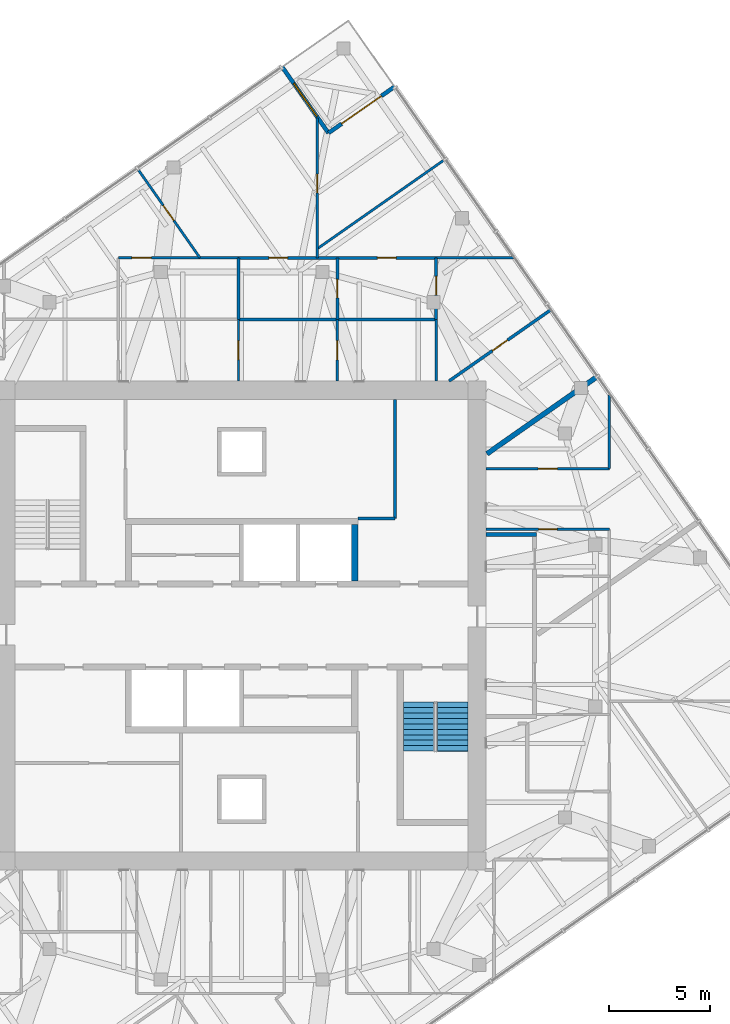
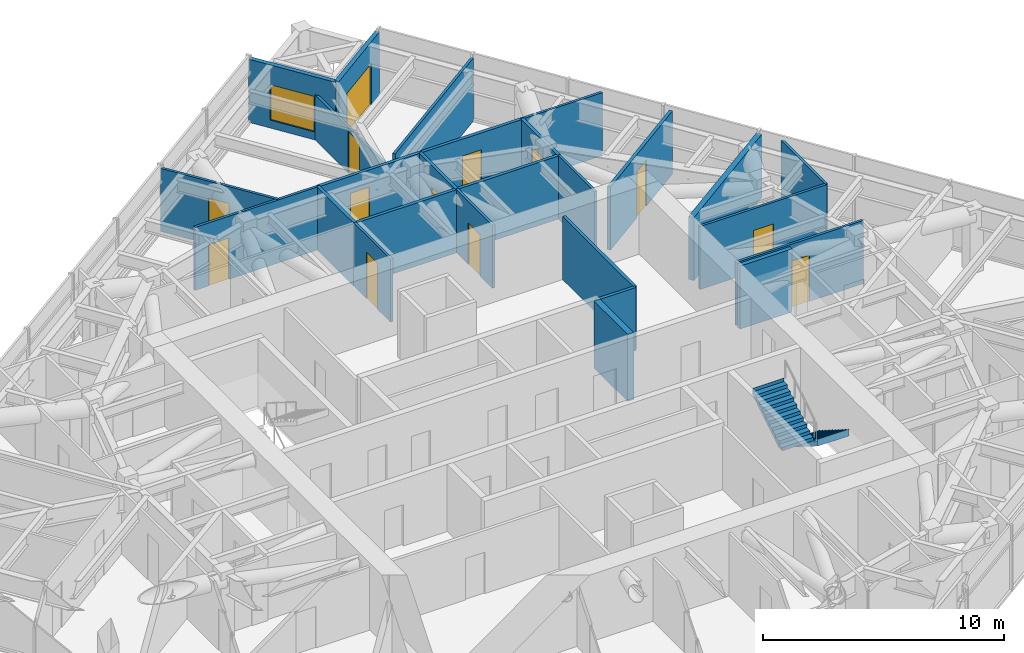
# One storey, part 13 of 15: 24 walls, 13 doors, 2 stair flights, 1 window, 14 openings, 1 element without a shape of its own.
"""IFC4 building model written with IfcOpenShell, lengths in metres."""

from ifc_helpers import new_model, si_unit, direction, frame, frame_2d, origin, place, context, subcontext, project, spatial, polyline, rectangle, outline, extrude, material, layer, layer_set, type_object, element, fill, aggregate, save


model = new_model("IFC4")

# Units and contexts
model_context = context("Model", 3, precision=1e-05, world=origin(), true_north=direction((0.0, 1.0)))
body_context = subcontext(model_context, "Body", "Model", "MODEL_VIEW")
ifc_project = project(units=[si_unit("LENGTHUNIT", "METRE"), si_unit("AREAUNIT", "SQUARE_METRE"), si_unit("VOLUMEUNIT", "CUBIC_METRE"), si_unit("PLANEANGLEUNIT", "RADIAN"), si_unit("MASSUNIT", "GRAM", prefix="KILO")], contexts=[model_context])

# Site, building, storey
site_placement = place(None, origin())
site = spatial("IfcSite", under=ifc_project, at=site_placement, CompositionType="ELEMENT")
building_placement = place(site_placement, origin())
building = spatial("IfcBuilding", under=site, at=building_placement, Name="Torsade Residences", CompositionType="ELEMENT")
storey_placement = place(building_placement, frame((0.0, 0.0, 264.199951171875)))
storey = spatial("IfcBuildingStorey", under=building, at=storey_placement, Name="L73", CompositionType="ELEMENT", Elevation=264.199951171875)

# Walls
ifc_material_1 = material(Name="Concrete 80 MPa", Category="concrete")
ifc_layer_1 = layer(ifc_material_1, 0.300048828125)
ifc_layer_set_1 = layer_set([ifc_layer_1], Name="Concrete 80 MPa")
wall_type_1 = type_object("IfcWallType", Name="CORE INTERNAL WALL 300", PredefinedType="SHEAR", material=ifc_layer_set_1)
wall_1_placement = place(storey_placement, frame((45.60009765625, 32.199951171875, 0.0), z_axis=(0.0, 0.0, 1.0), x_axis=(0.0, 1.0, 0.0)))
element("IfcWall", 1, at=wall_1_placement, inside=storey, type_object=wall_type_1, Name="Core wall DN4 L73", PredefinedType="SHEAR", context=body_context, shape_type="SweptSolid", body=[
    extrude(rectangle(XDim=2.800048828125, YDim=0.300048828125, at=frame_2d((1.39990234375, 0.0))), origin(), (0.0, 0.0, 1.0), 3.400146484375),
])
ifc_material_2 = material(Name="Plasterboard on steel stud", Category="steel")
ifc_layer_2 = layer(ifc_material_2, 0.199951171875)
ifc_layer_set_2 = layer_set([ifc_layer_2], Name="Plasterboard on steel stud")
wall_type_2 = type_object("IfcWallType", Name="CORRIDOR WALL 200", PredefinedType="PARTITIONING", material=ifc_layer_set_2)
wall_2_placement = place(storey_placement, frame((52.10009765625, 34.5, 0.0), z_axis=(0.0, 0.0, 1.0), x_axis=(1.0, 0.0, 0.0)))
element("IfcWall", 2, at=wall_2_placement, inside=storey, type_object=wall_type_2, Name="Corridor wall L73", PredefinedType="PARTITIONING", context=body_context, shape_type="SweptSolid", body=[
    extrude(rectangle(XDim=2.5, YDim=0.199951171875, at=frame_2d((1.25, 0.0))), origin(), (0.0, 0.0, 1.0), 3.199951171875),
])

# Wall, opening, door
ifc_material_3 = material(Name="Plasterboard on steel stud", Category="steel")
ifc_layer_3 = layer(ifc_material_3, 0.1201171875)
ifc_layer_set_3 = layer_set([ifc_layer_3], Name="Plasterboard on steel stud")
wall_type_3 = type_object("IfcWallType", Name="PARTITION 120", PredefinedType="PARTITIONING", material=ifc_layer_set_3)
wall_3_placement = place(storey_placement, frame((52.10009765625, 34.760009765625, 0.0), z_axis=(0.0, 0.0, 1.0), x_axis=(1.0, 0.0, 0.0)))
wall_3 = element("IfcWall", 3, at=wall_3_placement, inside=storey, type_object=wall_type_3, Name="Partition L73", PredefinedType="PARTITIONING", context=body_context, shape_type="SweptSolid", body=[
    extrude(rectangle(XDim=6.099853515625, YDim=0.1201171875, at=frame_2d((3.0498046875, 0.0))), origin(), (0.0, 0.0, 1.0), 3.199951171875),
])
opening_1_placement = place(wall_3_placement, frame((2.590087890625, 0.0, 0.0)))
opening_1 = element("IfcOpeningElement", 4, at=opening_1_placement, cuts=wall_3, Name="Opening D02", PredefinedType="OPENING", context=body_context, shape_type="SweptSolid", body=[
    extrude(rectangle(XDim=0.919921875, YDim=2.340087890625, at=frame_2d((0.4599609375, 1.169921875))), frame((0.0, 0.070068359375, 0.0), z_axis=(0.0, -1.0, 0.0), x_axis=(1.0, 0.0, 0.0)), (0.0, 0.0, 1.0), 0.14013671875),
])
ifc_material_4 = material(Name="Hollow-core timber door", Category="wood")
door_type_1 = type_object("IfcDoorType", Name="INTERNAL DOOR 920x2340", OperationType="NOTDEFINED", PredefinedType="DOOR", material=ifc_material_4)
door_1_placement = place(opening_1_placement, origin())
door_1 = element("IfcDoor", 5, at=door_1_placement, inside=storey, type_object=door_type_1, Name="Door Kitchen and dining to Studio living and sleeping", OperationType="SINGLE_SWING_LEFT", OverallHeight=2.340087890625, OverallWidth=0.919921875, PredefinedType="DOOR", context=body_context, shape_type="SweptSolid", body=[
    extrude(rectangle(XDim=0.919921875, YDim=2.340087890625, at=frame_2d((0.4599609375, 1.169921875))), frame((0.0, 0.02490234375, 0.0), z_axis=(0.0, -1.0, 0.0), x_axis=(1.0, 0.0, 0.0)), (0.0, 0.0, 1.0), 0.050048828125),
])
fill(opening_1, door_1)

# Wall
wall_4_placement = place(storey_placement, frame((58.199951171875, 41.422119140625, 0.0), z_axis=(0.0, 0.0, 1.0), x_axis=(0.0, -1.0, 0.0)))
element("IfcWall", 6, at=wall_4_placement, inside=storey, type_object=wall_type_3, Name="Partition L73", PredefinedType="PARTITIONING", context=body_context, shape_type="SweptSolid", body=[
    extrude(rectangle(XDim=3.65380859375, YDim=0.1201171875, at=frame_2d((1.826904296875, 0.0))), origin(), (0.0, 0.0, 1.0), 3.199951171875),
])

# Wall, opening, door
wall_5_placement = place(storey_placement, frame((58.199951171875, 37.768310546875, 0.0), z_axis=(0.0, 0.0, 1.0), x_axis=(-1.0, 0.0, 0.0)))
wall_5 = element("IfcWall", 7, at=wall_5_placement, inside=storey, type_object=wall_type_3, Name="Partition L73", PredefinedType="PARTITIONING", context=body_context, shape_type="SweptSolid", body=[
    extrude(rectangle(XDim=6.099853515625, YDim=0.1201171875, at=frame_2d((3.0498046875, 0.0))), origin(), (0.0, 0.0, 1.0), 3.199951171875),
])
opening_2_placement = place(wall_5_placement, frame((2.570068359375, 0.0, 0.0)))
opening_2 = element("IfcOpeningElement", 8, at=opening_2_placement, cuts=wall_5, Name="Opening D05", PredefinedType="OPENING", context=body_context, shape_type="SweptSolid", body=[
    extrude(rectangle(XDim=0.9599609375, YDim=2.10009765625, at=frame_2d((0.47998046875, 1.050048828125))), frame((0.0, 0.070068359375, 0.0), z_axis=(0.0, -1.0, 0.0), x_axis=(1.0, 0.0, 0.0)), (0.0, 0.0, 1.0), 0.14013671875),
])
ifc_material_5 = material(Name="Hollow-core timber door in a steel cavity frame", Category="steel")
door_type_2 = type_object("IfcDoorType", Name="BATHROOM CAVITY SLIDING DOOR 960", OperationType="SLIDING_TO_LEFT", PredefinedType="DOOR", material=ifc_material_5)
door_2_placement = place(opening_2_placement, origin())
door_2 = element("IfcDoor", 9, at=door_2_placement, inside=storey, type_object=door_type_2, Name="Door Studio living and sleeping to Ensuite", OperationType="SLIDING_TO_LEFT", OverallHeight=2.10009765625, OverallWidth=0.9599609375, PredefinedType="DOOR", context=body_context, shape_type="SweptSolid", body=[
    extrude(rectangle(XDim=0.9599609375, YDim=2.10009765625, at=frame_2d((0.47998046875, 1.050048828125))), frame((0.0, 0.02490234375, 0.0), z_axis=(0.0, -1.0, 0.0), x_axis=(1.0, 0.0, 0.0)), (0.0, 0.0, 1.0), 0.050048828125),
])
fill(opening_2, door_2)

wall_6_placement = place(storey_placement, frame((33.906982421875, 48.199951171875, 0.0), z_axis=(0.0, 0.0, 1.0), x_axis=(1.0, 0.0, 0.0)))
wall_6 = element("IfcWall", 10, at=wall_6_placement, inside=storey, type_object=wall_type_3, Name="Partition L73", PredefinedType="PARTITIONING", context=body_context, shape_type="SweptSolid", body=[
    extrude(rectangle(XDim=5.93896484375, YDim=0.1201171875, at=frame_2d((2.969482421875, 0.0))), origin(), (0.0, 0.0, 1.0), 3.199951171875),
])
opening_3_placement = place(wall_6_placement, frame((0.666015625, 0.0, 0.0)))
opening_3 = element("IfcOpeningElement", 11, at=opening_3_placement, cuts=wall_6, Name="Opening D05", PredefinedType="OPENING", context=body_context, shape_type="SweptSolid", body=[
    extrude(rectangle(XDim=0.9599609375, YDim=2.10009765625, at=frame_2d((0.47998046875, 1.050048828125))), frame((0.0, 0.070068359375, 0.0), z_axis=(0.0, -1.0, 0.0), x_axis=(1.0, 0.0, 0.0)), (0.0, 0.0, 1.0), 0.14013671875),
])
door_3_placement = place(opening_3_placement, origin())
door_3 = element("IfcDoor", 12, at=door_3_placement, inside=storey, type_object=door_type_2, Name="Door Family room to Ensuite", OperationType="SLIDING_TO_LEFT", OverallHeight=2.10009765625, OverallWidth=0.9599609375, PredefinedType="DOOR", context=body_context, shape_type="SweptSolid", body=[
    extrude(rectangle(XDim=0.9599609375, YDim=2.10009765625, at=frame_2d((0.47998046875, 1.050048828125))), frame((0.0, 0.02490234375, 0.0), z_axis=(0.0, -1.0, 0.0), x_axis=(1.0, 0.0, 0.0)), (0.0, 0.0, 1.0), 0.050048828125),
])
fill(opening_3, door_3)

wall_7_placement = place(storey_placement, frame((39.845947265625, 45.14990234375, 0.0), z_axis=(0.0, 0.0, 1.0), x_axis=(0.0, -1.0, 0.0)))
wall_7 = element("IfcWall", 13, at=wall_7_placement, inside=storey, type_object=wall_type_3, Name="Partition L73", PredefinedType="PARTITIONING", context=body_context, shape_type="SweptSolid", body=[
    extrude(rectangle(XDim=3.0498046875, YDim=0.1201171875, at=frame_2d((1.52490234375, 0.0))), origin(), (0.0, 0.0, 1.0), 3.199951171875),
])
opening_4_placement = place(wall_7_placement, frame((1.06494140625, 0.0, 0.0)))
opening_4 = element("IfcOpeningElement", 14, at=opening_4_placement, cuts=wall_7, Name="Opening D02", PredefinedType="OPENING", context=body_context, shape_type="SweptSolid", body=[
    extrude(rectangle(XDim=0.919921875, YDim=2.340087890625, at=frame_2d((0.4599609375, 1.169921875))), frame((0.0, 0.070068359375, 0.0), z_axis=(0.0, -1.0, 0.0), x_axis=(1.0, 0.0, 0.0)), (0.0, 0.0, 1.0), 0.14013671875),
])
door_4_placement = place(opening_4_placement, origin())
door_4 = element("IfcDoor", 15, at=door_4_placement, inside=storey, type_object=door_type_1, Name="Door Dressing room 2 to Walk-in robe", OperationType="SINGLE_SWING_LEFT", OverallHeight=2.340087890625, OverallWidth=0.919921875, PredefinedType="DOOR", context=body_context, shape_type="SweptSolid", body=[
    extrude(rectangle(XDim=0.919921875, YDim=2.340087890625, at=frame_2d((0.4599609375, 1.169921875))), frame((0.0, 0.02490234375, 0.0), z_axis=(0.0, -1.0, 0.0), x_axis=(1.0, 0.0, 0.0)), (0.0, 0.0, 1.0), 0.050048828125),
])
fill(opening_4, door_4)

wall_8_placement = place(storey_placement, frame((44.73779296875, 42.10009765625, 0.0), z_axis=(0.0, 0.0, 1.0), x_axis=(0.0, 1.0, 0.0)))
wall_8 = element("IfcWall", 16, at=wall_8_placement, inside=storey, type_object=wall_type_3, Name="Partition L73", PredefinedType="PARTITIONING", context=body_context, shape_type="SweptSolid", body=[
    extrude(rectangle(XDim=3.0498046875, YDim=0.1201171875, at=frame_2d((1.52490234375, 0.0))), origin(), (0.0, 0.0, 1.0), 3.199951171875),
])
opening_5_placement = place(wall_8_placement, frame((1.044921875, 0.0, 0.0)))
opening_5 = element("IfcOpeningElement", 17, at=opening_5_placement, cuts=wall_8, Name="Opening D05", PredefinedType="OPENING", context=body_context, shape_type="SweptSolid", body=[
    extrude(rectangle(XDim=0.9599609375, YDim=2.10009765625, at=frame_2d((0.47998046875, 1.050048828125))), frame((0.0, 0.070068359375, 0.0), z_axis=(0.0, -1.0, 0.0), x_axis=(1.0, 0.0, 0.0)), (0.0, 0.0, 1.0), 0.14013671875),
])
door_5_placement = place(opening_5_placement, origin())
door_5 = element("IfcDoor", 18, at=door_5_placement, inside=storey, type_object=door_type_2, Name="Door Walk-in robe to Laundry", OperationType="SLIDING_TO_LEFT", OverallHeight=2.10009765625, OverallWidth=0.9599609375, PredefinedType="DOOR", context=body_context, shape_type="SweptSolid", body=[
    extrude(rectangle(XDim=0.9599609375, YDim=2.10009765625, at=frame_2d((0.47998046875, 1.050048828125))), frame((0.0, 0.02490234375, 0.0), z_axis=(0.0, -1.0, 0.0), x_axis=(1.0, 0.0, 0.0)), (0.0, 0.0, 1.0), 0.050048828125),
])
fill(opening_5, door_5)

# Walls
wall_9_placement = place(storey_placement, frame((49.6298828125, 45.14990234375, 0.0), z_axis=(0.0, 0.0, 1.0), x_axis=(0.0, -1.0, 0.0)))
element("IfcWall", 19, at=wall_9_placement, inside=storey, type_object=wall_type_3, Name="Partition L73", PredefinedType="PARTITIONING", context=body_context, shape_type="SweptSolid", body=[
    extrude(rectangle(XDim=3.0498046875, YDim=0.1201171875, at=frame_2d((1.52490234375, 0.0))), origin(), (0.0, 0.0, 1.0), 3.199951171875),
])
wall_10_placement = place(storey_placement, frame((49.6298828125, 48.199951171875, 0.0), z_axis=(0.0, 0.0, 1.0), x_axis=(1.0, 0.0, 0.0)))
element("IfcWall", 20, at=wall_10_placement, inside=storey, type_object=wall_type_3, Name="Partition L73", PredefinedType="PARTITIONING", context=body_context, shape_type="SweptSolid", body=[
    extrude(rectangle(XDim=3.82421875, YDim=0.1201171875, at=frame_2d((1.912109375, 0.0))), origin(), (0.0, 0.0, 1.0), 3.199951171875),
])

# Wall, opening, door
wall_11_placement = place(storey_placement, frame((43.735107421875, 55.106201171875, 0.0), z_axis=(0.0, 0.0, 1.0), x_axis=(0.0, -1.0, 0.0)))
wall_11 = element("IfcWall", 21, at=wall_11_placement, inside=storey, type_object=wall_type_3, Name="Partition L73", PredefinedType="PARTITIONING", context=body_context, shape_type="SweptSolid", body=[
    extrude(rectangle(XDim=6.90625, YDim=0.1201171875, at=frame_2d((3.453125, 0.0))), origin(), (0.0, 0.0, 1.0), 2.300048828125),
])
opening_6_placement = place(wall_11_placement, frame((2.769775390625, 0.0, 0.0)))
opening_6 = element("IfcOpeningElement", 22, at=opening_6_placement, cuts=wall_11, Name="Opening D02L", PredefinedType="OPENING", context=body_context, shape_type="SweptSolid", body=[
    extrude(rectangle(XDim=0.919921875, YDim=2.10009765625, at=frame_2d((0.4599609375, 1.050048828125))), frame((0.0, 0.070068359375, 0.0), z_axis=(0.0, -1.0, 0.0), x_axis=(1.0, 0.0, 0.0)), (0.0, 0.0, 1.0), 0.14013671875),
])
ifc_material_6 = material(Name="Hollow-core timber door", Category="wood")
door_type_3 = type_object("IfcDoorType", Name="INTERNAL DOOR 920x2100", OperationType="NOTDEFINED", PredefinedType="DOOR", material=ifc_material_6)
door_6_placement = place(opening_6_placement, origin())
door_6 = element("IfcDoor", 23, at=door_6_placement, inside=storey, type_object=door_type_3, Name="Door Living room to Bedroom 3", OperationType="SINGLE_SWING_RIGHT", OverallHeight=2.10009765625, OverallWidth=0.919921875, PredefinedType="DOOR", context=body_context, shape_type="SweptSolid", body=[
    extrude(rectangle(XDim=0.919921875, YDim=2.10009765625, at=frame_2d((0.4599609375, 1.050048828125))), frame((0.0, 0.02490234375, 0.0), z_axis=(0.0, -1.0, 0.0), x_axis=(1.0, 0.0, 0.0)), (0.0, 0.0, 1.0), 0.050048828125),
])
fill(opening_6, door_6)

wall_12_placement = place(storey_placement, frame((37.93798828125, 48.199951171875, 0.0), z_axis=(0.0, 0.0, 1.0), x_axis=(-0.573560001964, 0.819163551525, 0.0)))
wall_12 = element("IfcWall", 24, at=wall_12_placement, inside=storey, type_object=wall_type_3, Name="Partition L73", PredefinedType="PARTITIONING", context=body_context, shape_type="SweptSolid", body=[
    extrude(rectangle(XDim=5.368896484375, YDim=0.1201171875, at=frame_2d((2.6845703125, 0.0))), origin(), (0.0, 0.0, 1.0), 3.199951171875),
])
opening_7_placement = place(wall_12_placement, frame((2.244384765625, 0.0, 0.0)))
opening_7 = element("IfcOpeningElement", 25, at=opening_7_placement, cuts=wall_12, Name="Opening D02", PredefinedType="OPENING", context=body_context, shape_type="SweptSolid", body=[
    extrude(rectangle(XDim=0.919921875, YDim=2.340087890625, at=frame_2d((0.4599609375, 1.169921875))), frame((0.0, 0.070068359375, 0.0), z_axis=(0.0, -1.0, 0.0), x_axis=(1.0, 0.0, 0.0)), (0.0, 0.0, 1.0), 0.14013671875),
])
door_7_placement = place(opening_7_placement, origin())
door_7 = element("IfcDoor", 26, at=door_7_placement, inside=storey, type_object=door_type_1, Name="Door Family room to Living room", OperationType="SINGLE_SWING_LEFT", OverallHeight=2.340087890625, OverallWidth=0.919921875, PredefinedType="DOOR", context=body_context, shape_type="SweptSolid", body=[
    extrude(rectangle(XDim=0.919921875, YDim=2.340087890625, at=frame_2d((0.4599609375, 1.169921875))), frame((0.0, 0.02490234375, 0.0), z_axis=(0.0, -1.0, 0.0), x_axis=(1.0, 0.0, 0.0)), (0.0, 0.0, 1.0), 0.050048828125),
])
fill(opening_7, door_7)

# Walls
wall_13_placement = place(storey_placement, frame((50.05078125, 53.060302734375, 0.0), z_axis=(0.0, 0.0, 1.0), x_axis=(-0.819161994693, -0.573562225439, 0.0)))
element("IfcWall", 27, at=wall_13_placement, inside=storey, type_object=wall_type_3, Name="Partition L73", PredefinedType="PARTITIONING", context=body_context, shape_type="SweptSolid", body=[
    extrude(rectangle(XDim=7.7099609375, YDim=0.1201171875, at=frame_2d((3.85498046875, 0.0))), origin(), (0.0, 0.0, 1.0), 3.199951171875),
])
ifc_material_7 = material(Name="Masonry-lined stud party wall", Category="masonry")
ifc_layer_4 = layer(ifc_material_7, 0.25)
ifc_layer_set_4 = layer_set([ifc_layer_4], Name="Masonry-lined stud party wall")
wall_type_4 = type_object("IfcWallType", Name="PARTY WALL 250", PredefinedType="PARTITIONING", material=ifc_layer_set_4)
wall_14_placement = place(storey_placement, frame((57.61181640625, 42.331787109375, 0.0), z_axis=(0.0, 0.0, 1.0), x_axis=(-0.819161528122, -0.573562891796, 0.0)))
element("IfcWall", 28, at=wall_14_placement, inside=storey, type_object=wall_type_4, Name="Party wall L73", PredefinedType="PARTITIONING", context=body_context, shape_type="SweptSolid", body=[
    extrude(rectangle(XDim=6.68115234375, YDim=0.25, at=frame_2d((3.340576171875, 0.0))), origin(), (0.0, 0.0, 1.0), 3.199951171875),
])
ifc_material_8 = material(Name="Reinforced blockwork", Category="masonry")
ifc_layer_5 = layer(ifc_material_8, 0.14990234375)
ifc_layer_set_5 = layer_set([ifc_layer_5], Name="Reinforced blockwork")
wall_type_5 = type_object("IfcWallType", Name="SERVICE ROOM WALL 150", PredefinedType="SOLIDWALL", material=ifc_layer_set_5)
wall_15_placement = place(storey_placement, frame((47.60009765625, 41.199951171875, 0.0), z_axis=(0.0, 0.0, 1.0), x_axis=(0.0, -1.0, 0.0)))
element("IfcWall", 29, at=wall_15_placement, inside=storey, type_object=wall_type_5, Name="Service room wall L73", PredefinedType="SOLIDWALL", context=body_context, shape_type="SweptSolid", body=[
    extrude(rectangle(XDim=5.89990234375, YDim=0.14990234375, at=frame_2d((2.949951171875, 0.0))), origin(), (0.0, 0.0, 1.0), 3.199951171875),
])
wall_16_placement = place(storey_placement, frame((47.60009765625, 35.300048828125, 0.0), z_axis=(0.0, 0.0, 1.0), x_axis=(-1.0, 0.0, 0.0)))
element("IfcWall", 30, at=wall_16_placement, inside=storey, type_object=wall_type_5, Name="Service room wall L73", PredefinedType="SOLIDWALL", context=body_context, shape_type="SweptSolid", body=[
    extrude(rectangle(XDim=1.85009765625, YDim=0.14990234375, at=frame_2d((0.925048828125, 0.0))), origin(), (0.0, 0.0, 1.0), 3.199951171875),
])
wall_17_placement = place(storey_placement, frame((39.845947265625, 48.199951171875, 0.0), z_axis=(0.0, 0.0, 1.0), x_axis=(0.0, -1.0, 0.0)))
element("IfcWall", 31, at=wall_17_placement, inside=storey, type_object=wall_type_5, Name="Service room wall L73", PredefinedType="SOLIDWALL", context=body_context, shape_type="SweptSolid", body=[
    extrude(rectangle(XDim=3.050048828125, YDim=0.14990234375, at=frame_2d((1.52490234375, 0.0))), origin(), (0.0, 0.0, 1.0), 3.199951171875),
])
wall_18_placement = place(storey_placement, frame((39.845947265625, 45.14990234375, 0.0), z_axis=(0.0, 0.0, 1.0), x_axis=(1.0, 0.0, 0.0)))
element("IfcWall", 32, at=wall_18_placement, inside=storey, type_object=wall_type_5, Name="Service room wall L73", PredefinedType="SOLIDWALL", context=body_context, shape_type="SweptSolid", body=[
    extrude(rectangle(XDim=9.783935546875, YDim=0.14990234375, at=frame_2d((4.89208984375, 0.0))), origin(), (0.0, 0.0, 1.0), 3.199951171875),
])

# Wall, opening, door
wall_19_placement = place(storey_placement, frame((44.73779296875, 45.14990234375, 0.0), z_axis=(0.0, 0.0, 1.0), x_axis=(0.0, 1.0, 0.0)))
wall_19 = element("IfcWall", 33, at=wall_19_placement, inside=storey, type_object=wall_type_5, Name="Service room wall L73", PredefinedType="SOLIDWALL", context=body_context, shape_type="SweptSolid", body=[
    extrude(rectangle(XDim=3.050048828125, YDim=0.14990234375, at=frame_2d((1.52490234375, 0.0))), origin(), (0.0, 0.0, 1.0), 3.199951171875),
])
opening_8_placement = place(wall_19_placement, frame((1.06494140625, 0.0, 0.0)))
opening_8 = element("IfcOpeningElement", 34, at=opening_8_placement, cuts=wall_19, Name="Opening D02L", PredefinedType="OPENING", context=body_context, shape_type="SweptSolid", body=[
    extrude(rectangle(XDim=0.919921875, YDim=2.10009765625, at=frame_2d((0.4599609375, 1.050048828125))), frame((0.0, 0.0849609375, 0.0), z_axis=(0.0, -1.0, 0.0), x_axis=(1.0, 0.0, 0.0)), (0.0, 0.0, 1.0), 0.169921875),
])
door_8_placement = place(opening_8_placement, origin())
door_8 = element("IfcDoor", 35, at=door_8_placement, inside=storey, type_object=door_type_3, Name="Door Store to Linen store 2", OperationType="SINGLE_SWING_RIGHT", OverallHeight=2.10009765625, OverallWidth=0.919921875, PredefinedType="DOOR", context=body_context, shape_type="SweptSolid", body=[
    extrude(rectangle(XDim=0.919921875, YDim=2.10009765625, at=frame_2d((0.4599609375, 1.050048828125))), frame((0.0, 0.02490234375, 0.0), z_axis=(0.0, -1.0, 0.0), x_axis=(1.0, 0.0, 0.0)), (0.0, 0.0, 1.0), 0.050048828125),
])
fill(opening_8, door_8)

wall_20_placement = place(storey_placement, frame((49.6298828125, 48.199951171875, 0.0), z_axis=(0.0, 0.0, 1.0), x_axis=(0.0, -1.0, 0.0)))
wall_20 = element("IfcWall", 36, at=wall_20_placement, inside=storey, type_object=wall_type_5, Name="Service room wall L73", PredefinedType="SOLIDWALL", context=body_context, shape_type="SweptSolid", body=[
    extrude(rectangle(XDim=3.050048828125, YDim=0.14990234375, at=frame_2d((1.52490234375, 0.0))), origin(), (0.0, 0.0, 1.0), 3.199951171875),
])
opening_9_placement = place(wall_20_placement, frame((0.9150390625, 0.0, 0.0)))
opening_9 = element("IfcOpeningElement", 37, at=opening_9_placement, cuts=wall_20, Name="Opening D02", PredefinedType="OPENING", context=body_context, shape_type="SweptSolid", body=[
    extrude(rectangle(XDim=0.919921875, YDim=2.340087890625, at=frame_2d((0.4599609375, 1.169921875))), frame((0.0, 0.0849609375, 0.0), z_axis=(0.0, -1.0, 0.0), x_axis=(1.0, 0.0, 0.0)), (0.0, 0.0, 1.0), 0.169921875),
])
door_9_placement = place(opening_9_placement, origin())
door_9 = element("IfcDoor", 38, at=door_9_placement, inside=storey, type_object=door_type_1, Name="Door Linen store 2 to Study", OperationType="SINGLE_SWING_RIGHT", OverallHeight=2.340087890625, OverallWidth=0.919921875, PredefinedType="DOOR", context=body_context, shape_type="SweptSolid", body=[
    extrude(rectangle(XDim=0.919921875, YDim=2.340087890625, at=frame_2d((0.4599609375, 1.169921875))), frame((0.0, 0.02490234375, 0.0), z_axis=(0.0, -1.0, 0.0), x_axis=(1.0, 0.0, 0.0)), (0.0, 0.0, 1.0), 0.050048828125),
])
fill(opening_9, door_9)

# Wall, openings, doors
wall_21_placement = place(storey_placement, frame((39.845947265625, 48.199951171875, 0.0), z_axis=(0.0, 0.0, 1.0), x_axis=(1.0, 0.0, 0.0)))
wall_21 = element("IfcWall", 39, at=wall_21_placement, inside=storey, type_object=wall_type_5, Name="Service room wall L73", PredefinedType="SOLIDWALL", context=body_context, shape_type="SweptSolid", body=[
    extrude(rectangle(XDim=9.783935546875, YDim=0.14990234375, at=frame_2d((4.89208984375, 0.0))), origin(), (0.0, 0.0, 1.0), 3.199951171875),
])
opening_10_placement = place(wall_21_placement, frame((1.509765625, 0.0, 0.0)))
opening_10 = element("IfcOpeningElement", 40, at=opening_10_placement, cuts=wall_21, Name="Opening D02", PredefinedType="OPENING", context=body_context, shape_type="SweptSolid", body=[
    extrude(rectangle(XDim=0.919921875, YDim=2.340087890625, at=frame_2d((0.4599609375, 1.169921875))), frame((0.0, 0.0849609375, 0.0), z_axis=(0.0, -1.0, 0.0), x_axis=(1.0, 0.0, 0.0)), (0.0, 0.0, 1.0), 0.169921875),
])
opening_11_placement = place(wall_21_placement, frame((6.8779296875, 0.0, 0.0)))
opening_11 = element("IfcOpeningElement", 41, at=opening_11_placement, cuts=wall_21, Name="Opening D02", PredefinedType="OPENING", context=body_context, shape_type="SweptSolid", body=[
    extrude(rectangle(XDim=0.919921875, YDim=2.340087890625, at=frame_2d((0.4599609375, 1.169921875))), frame((0.0, 0.0849609375, 0.0), z_axis=(0.0, -1.0, 0.0), x_axis=(1.0, 0.0, 0.0)), (0.0, 0.0, 1.0), 0.169921875),
])
door_10_placement = place(opening_10_placement, origin())
door_10 = element("IfcDoor", 42, at=door_10_placement, inside=storey, type_object=door_type_1, Name="Door Living room to Store", OperationType="SINGLE_SWING_RIGHT", OverallHeight=2.340087890625, OverallWidth=0.919921875, PredefinedType="DOOR", context=body_context, shape_type="SweptSolid", body=[
    extrude(rectangle(XDim=0.919921875, YDim=2.340087890625, at=frame_2d((0.4599609375, 1.169921875))), frame((0.0, 0.02490234375, 0.0), z_axis=(0.0, -1.0, 0.0), x_axis=(1.0, 0.0, 0.0)), (0.0, 0.0, 1.0), 0.050048828125),
])
fill(opening_10, door_10)
door_11_placement = place(opening_11_placement, origin())
door_11 = element("IfcDoor", 43, at=door_11_placement, inside=storey, type_object=door_type_1, Name="Door Linen store 2 to Study 2", OperationType="SINGLE_SWING_RIGHT", OverallHeight=2.340087890625, OverallWidth=0.919921875, PredefinedType="DOOR", context=body_context, shape_type="SweptSolid", body=[
    extrude(rectangle(XDim=0.919921875, YDim=2.340087890625, at=frame_2d((0.4599609375, 1.169921875))), frame((0.0, 0.02490234375, 0.0), z_axis=(0.0, -1.0, 0.0), x_axis=(1.0, 0.0, 0.0)), (0.0, 0.0, 1.0), 0.050048828125),
])
fill(opening_11, door_11)

# Wall, opening, door
wall_22_placement = place(storey_placement, frame((55.27099609375, 45.60498046875, 0.0), z_axis=(0.0, 0.0, 1.0), x_axis=(-0.819158711158, -0.573566914958, 0.0)))
wall_22 = element("IfcWall", 44, at=wall_22_placement, inside=storey, type_object=wall_type_5, Name="Service room wall L73", PredefinedType="SOLIDWALL", context=body_context, shape_type="SweptSolid", body=[
    extrude(rectangle(XDim=6.110595703125, YDim=0.14990234375, at=frame_2d((3.05517578125, 0.0))), origin(), (0.0, 0.0, 1.0), 3.199951171875),
])
opening_12_placement = place(wall_22_placement, frame((2.575439453125, 0.0, 0.0)))
opening_12 = element("IfcOpeningElement", 45, at=opening_12_placement, cuts=wall_22, Name="Opening D02", PredefinedType="OPENING", context=body_context, shape_type="SweptSolid", body=[
    extrude(rectangle(XDim=0.919921875, YDim=2.340087890625, at=frame_2d((0.4599609375, 1.169921875))), frame((0.0, 0.0849609375, 0.0), z_axis=(0.0, -1.0, 0.0), x_axis=(1.0, 0.0, 0.0)), (0.0, 0.0, 1.0), 0.169921875),
])
door_12_placement = place(opening_12_placement, origin())
door_12 = element("IfcDoor", 46, at=door_12_placement, inside=storey, type_object=door_type_1, Name="Door Study to Linen store 3", OperationType="SINGLE_SWING_RIGHT", OverallHeight=2.340087890625, OverallWidth=0.919921875, PredefinedType="DOOR", context=body_context, shape_type="SweptSolid", body=[
    extrude(rectangle(XDim=0.919921875, YDim=2.340087890625, at=frame_2d((0.4599609375, 1.169921875))), frame((0.0, 0.02490234375, 0.0), z_axis=(0.0, -1.0, 0.0), x_axis=(1.0, 0.0, 0.0)), (0.0, 0.0, 1.0), 0.050048828125),
])
fill(opening_12, door_12)

ifc_material_9 = material(Name="Stone-faced precast concrete 40 MPa panel", Category="masonry")
ifc_layer_6 = layer(ifc_material_9, 0.199951171875)
ifc_layer_set_6 = layer_set([ifc_layer_6], Name="Stone-faced precast concrete 40 MPa panel")
wall_type_6 = type_object("IfcWallType", Name="TERRACE WALL 200", PredefinedType="SOLIDWALL", material=ifc_layer_set_6)
wall_23_placement = place(storey_placement, frame((47.57421875, 56.6669921875, 0.0), z_axis=(0.0, 0.0, 1.0), x_axis=(-0.819165963305, -0.573556557423, 0.0)))
wall_23 = element("IfcWall", 47, at=wall_23_placement, inside=storey, type_object=wall_type_6, Name="Terrace wall L73 5", PredefinedType="SOLIDWALL", context=body_context, shape_type="SweptSolid", body=[
    extrude(rectangle(XDim=4.0, YDim=0.199951171875, at=frame_2d((2.0, 0.0))), origin(), (0.0, 0.0, 1.0), 3.199951171875),
])
opening_13_placement = place(wall_23_placement, frame((0.800048828125, 0.0, 0.0)))
opening_13 = element("IfcOpeningElement", 48, at=opening_13_placement, cuts=wall_23, Name="Opening D10A", PredefinedType="OPENING", context=body_context, shape_type="SweptSolid", body=[
    extrude(rectangle(XDim=2.39990234375, YDim=2.10009765625, at=frame_2d((1.199951171875, 1.050048828125))), frame((0.0, 0.10986328125, 0.0), z_axis=(0.0, -1.0, 0.0), x_axis=(1.0, 0.0, 0.0)), (0.0, 0.0, 1.0), 0.219970703125),
])
ifc_material_10 = material(Name="Aluminium-framed glass door", Category="aluminium")
door_type_4 = type_object("IfcDoorType", Name="TERRACE SLIDING DOOR 2400x2100", OperationType="SLIDING_TO_LEFT", PredefinedType="DOOR", material=ifc_material_10)
door_13_placement = place(opening_13_placement, origin())
door_13 = element("IfcDoor", 49, at=door_13_placement, inside=storey, type_object=door_type_4, Name="Terrace door L73 5", OperationType="SLIDING_TO_LEFT", OverallHeight=2.10009765625, OverallWidth=2.39990234375, PredefinedType="DOOR", context=body_context, shape_type="SweptSolid", body=[
    extrude(rectangle(XDim=2.39990234375, YDim=2.10009765625, at=frame_2d((1.199951171875, 1.050048828125))), frame((0.0, 0.02490234375, 0.0), z_axis=(0.0, -1.0, 0.0), x_axis=(1.0, 0.0, 0.0)), (0.0, 0.0, 1.0), 0.050048828125),
])
fill(opening_13, door_13)

# Wall, opening, window
wall_24_placement = place(storey_placement, frame((44.297607421875, 54.372802734375, 0.0), z_axis=(0.0, 0.0, 1.0), x_axis=(-0.573597512525, 0.819137286189, 0.0)))
wall_24 = element("IfcWall", 50, at=wall_24_placement, inside=storey, type_object=wall_type_6, Name="Terrace wall L73 6", PredefinedType="SOLIDWALL", context=body_context, shape_type="SweptSolid", body=[
    extrude(rectangle(XDim=4.0, YDim=0.199951171875, at=frame_2d((2.0, 0.0))), origin(), (0.0, 0.0, 1.0), 3.199951171875),
])
opening_14_placement = place(wall_24_placement, frame((1.0, 0.0, 0.39990234375)))
opening_14 = element("IfcOpeningElement", 51, at=opening_14_placement, cuts=wall_24, Name="Opening W1B", PredefinedType="OPENING", context=body_context, shape_type="SweptSolid", body=[
    extrude(rectangle(XDim=2.0, YDim=1.800048828125, at=frame_2d((1.0, 0.89990234375))), frame((0.0, 0.10986328125, 0.0), z_axis=(0.0, -1.0, 0.0), x_axis=(1.0, 0.0, 0.0)), (0.0, 0.0, 1.0), 0.219970703125),
])
ifc_material_11 = material(Name="Aluminium-framed glass window", Category="aluminium")
window_type = type_object("IfcWindowType", Name="TERRACE WINDOW 2000x1800", PartitioningType="SINGLE_PANEL", PredefinedType="WINDOW", material=ifc_material_11)
window_placement = place(opening_14_placement, origin())
window = element("IfcWindow", 52, at=window_placement, inside=storey, type_object=window_type, Name="Terrace window L73 6", OverallHeight=1.800048828125, OverallWidth=2.0, PartitioningType="SINGLE_PANEL", PredefinedType="WINDOW", context=body_context, shape_type="SweptSolid", body=[
    extrude(rectangle(XDim=2.0, YDim=1.800048828125, at=frame_2d((1.0, 0.89990234375))), frame((0.0, 0.030029296875, 0.0), z_axis=(0.0, -1.0, 0.0), x_axis=(1.0, 0.0, 0.0)), (0.0, 0.0, 1.0), 0.06005859375),
])
fill(opening_14, window)

# Stair, stair flights
ifc_material_12 = material(Name="Precast concrete 40 MPa", Category="concrete")
stair_type = type_object("IfcStairType", Name="HALF-TURN FIRE STAIR 1500x3400", PredefinedType="HALF_TURN_STAIR", material=ifc_material_12)
stair_placement = place(storey_placement, origin())
stair = element("IfcStair", 53, at=stair_placement, inside=storey, type_object=stair_type, Name="Stair ST2 L73", PredefinedType="HALF_TURN_STAIR")
ifc_material_13 = material(Name="Precast concrete 40 MPa", Category="concrete")
stair_flight_type = type_object("IfcStairFlightType", Name="PRECAST STAIR FLIGHT 1500x1700", PredefinedType="STRAIGHT", material=ifc_material_13)
stair_flight_1_placement = place(storey_placement, frame((50.449951171875, 26.219970703125, 0.0), z_axis=(0.0, 0.0, 1.0), x_axis=(0.0, -1.0, 0.0)))
stair_flight_1 = element("IfcStairFlight", 54, at=stair_flight_1_placement, type_object=stair_flight_type, Name="ST2 flight 1", NumberOfRisers=10, NumberOfTreads=9, PredefinedType="STRAIGHT", RiserHeight=0.17, TreadLength=0.27, context=body_context, shape_type="SweptSolid", body=[
    extrude(outline(polyline([(0.0, 0.0), (0.0, 0.169921875), (0.27001953125, 0.169921875), (0.27001953125, 0.340087890625), (0.5400390625, 0.340087890625), (0.5400390625, 0.510009765625), (0.81005859375, 0.510009765625), (0.81005859375, 0.679931640625), (1.080078125, 0.679931640625), (1.080078125, 0.85009765625), (1.35009765625, 0.85009765625), (1.35009765625, 1.02001953125), (1.6201171875, 1.02001953125), (1.6201171875, 1.18994140625), (1.889892578125, 1.18994140625), (1.889892578125, 1.360107421875), (2.159912109375, 1.360107421875), (2.159912109375, 1.530029296875), (2.429931640625, 1.530029296875), (2.429931640625, 1.699951171875), (2.43994140625, 1.699951171875), (2.43994140625, 1.352783203125), (2.429931640625, 1.352783203125), (0.28125, 0.0), (0.0, 0.0)])), frame((0.0, 0.75, 0.0), z_axis=(0.0, -1.0, 0.0), x_axis=(1.0, 0.0, 0.0)), (0.0, 0.0, 1.0), 1.5),
])
stair_flight_2_placement = place(storey_placement, frame((48.75, 23.7900390625, 1.699951171875), z_axis=(0.0, 0.0, 1.0), x_axis=(0.0, 1.0, 0.0)))
stair_flight_2 = element("IfcStairFlight", 55, at=stair_flight_2_placement, type_object=stair_flight_type, Name="ST2 flight 2", NumberOfRisers=10, NumberOfTreads=9, PredefinedType="STRAIGHT", RiserHeight=0.17, TreadLength=0.27, context=body_context, shape_type="SweptSolid", body=[
    extrude(outline(polyline([(0.0, 0.0), (0.0, 0.169921875), (0.27001953125, 0.169921875), (0.27001953125, 0.340087890625), (0.5400390625, 0.340087890625), (0.5400390625, 0.510009765625), (0.81005859375, 0.510009765625), (0.81005859375, 0.679931640625), (1.080078125, 0.679931640625), (1.080078125, 0.85009765625), (1.35009765625, 0.85009765625), (1.35009765625, 1.02001953125), (1.6201171875, 1.02001953125), (1.6201171875, 1.18994140625), (1.889892578125, 1.18994140625), (1.889892578125, 1.360107421875), (2.159912109375, 1.360107421875), (2.159912109375, 1.530029296875), (2.429931640625, 1.530029296875), (2.429931640625, 1.699951171875), (2.43994140625, 1.699951171875), (2.43994140625, 1.352783203125), (2.429931640625, 1.352783203125), (0.28125, 0.0), (0.0, 0.0)])), frame((0.0, 0.75, 0.0), z_axis=(0.0, -1.0, 0.0), x_axis=(1.0, 0.0, 0.0)), (0.0, 0.0, 1.0), 1.5),
])
aggregate(stair, [stair_flight_1, stair_flight_2])

save(model, "model.ifc")
